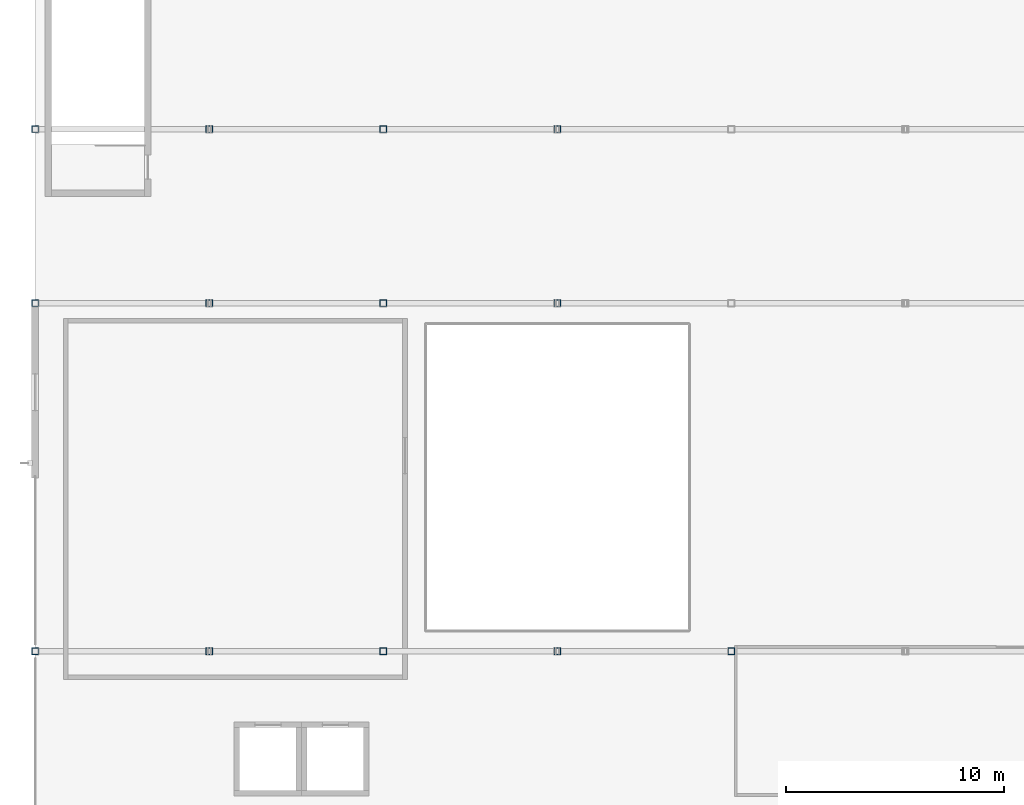
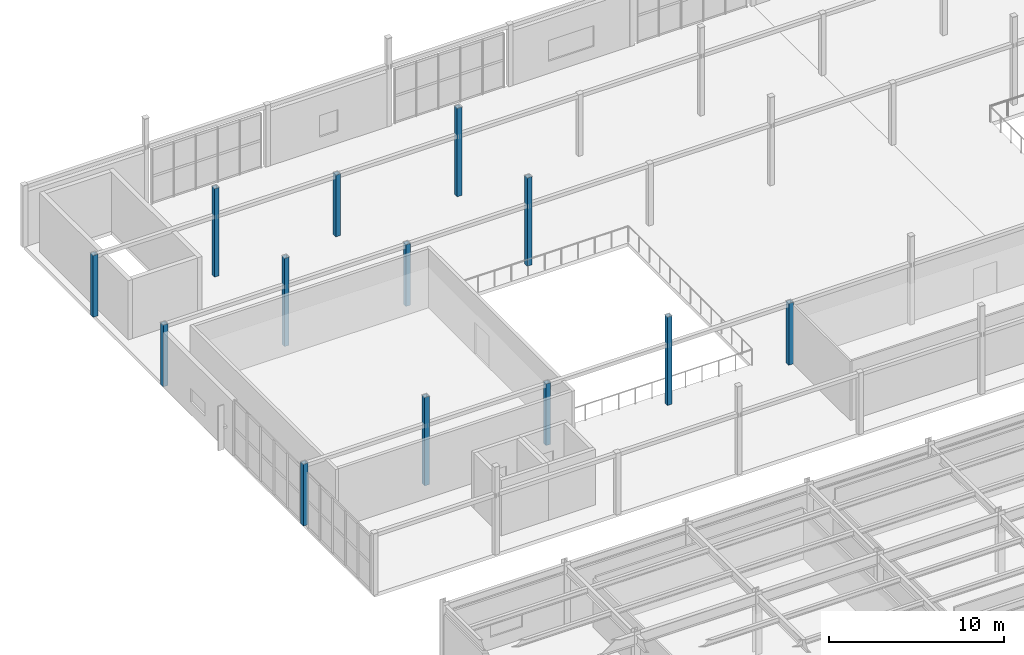
# One storey, part 5 of 83: 13 columns.
"""IFC4 building model written with IfcOpenShell, lengths in metres."""

from ifc_helpers import new_model, si_unit, direction, frame, origin, origin_2d, place, context, subcontext, project, spatial, hollow_rectangle, extrude, material, material_profile, profile_set, type_object, element, save


model = new_model("IFC4")

# Units and contexts
model_context = context("Model", 3, precision=1e-05, world=origin(), true_north=direction((0.0, 1.0)))
body_context = subcontext(model_context, "Body", "Model", "MODEL_VIEW")
ifc_project = project(units=[si_unit("LENGTHUNIT", "METRE"), si_unit("AREAUNIT", "SQUARE_METRE"), si_unit("VOLUMEUNIT", "CUBIC_METRE"), si_unit("PLANEANGLEUNIT", "RADIAN"), si_unit("MASSUNIT", "GRAM", prefix="KILO")], contexts=[model_context])

# Site, building, storey
site_placement = place(None, origin())
site = spatial("IfcSite", under=ifc_project, at=site_placement, CompositionType="ELEMENT")
building_placement = place(site_placement, origin())
building = spatial("IfcBuilding", under=site, at=building_placement, Name="Drelvath Fold Interchange", CompositionType="ELEMENT")
storey_placement = place(building_placement, frame((0.0, 0.0, 11.199951171875)))
storey = spatial("IfcBuildingStorey", under=building, at=storey_placement, Name="L02", CompositionType="ELEMENT", Elevation=11.199951171875)

# Columns
ifc_material = material(Name="Steel ASTM A500 Grade C", Category="steel")
ifc_material_profile = material_profile(ifc_material, hollow_rectangle(XDim=0.304931640625, YDim=0.304931640625, WallThickness=0.01171875, at=origin_2d()), Name="HSS12X12X1/2")
ifc_profile_set = profile_set([ifc_material_profile], Name="Steel ASTM A500 Grade C")
column_type = type_object("IfcColumnType", Name="COL-HSS305", PredefinedType="COLUMN", material=ifc_profile_set)
for number, where, z_axis, x_axis, name in (
    (1, (4.0, 67.0, 0.0), (0.0, 0.0, 1.0), (1.0, 0.0, 0.0), "L02 column (4,67)"),
    (2, (4.0, 83.0, 0.0), (0.0, 0.0, 1.0), (1.0, 0.0, 0.0), "L02 column (4,83)"),
    (3, (4.0, 91.0, 0.0), (0.0, 0.0, 1.0), (1.0, 0.0, 0.0), "L02 column (4,91)"),
):
    element("IfcColumn", number, at=place(storey_placement, frame(where, z_axis=z_axis, x_axis=x_axis)), inside=storey, type_object=column_type, Name=name, PredefinedType="COLUMN", context=body_context, shape_type="SweptSolid", body=[
        extrude(hollow_rectangle(XDim=0.304931640625, YDim=0.304931640625, WallThickness=0.01171875, at=origin_2d()), origin(), (0.0, 0.0, 1.0), 4.300048828125),
    ])
for number, where, z_axis, x_axis, name in (
    (4, (12.0, 67.0, 0.0), (0.0, 0.0, 1.0), (1.0, 0.0, 0.0), "L02 column (12,67)"),
    (5, (12.0, 83.0, 0.0), (0.0, 0.0, 1.0), (1.0, 0.0, 0.0), "L02 column (12,83)"),
    (6, (12.0, 91.0, 0.0), (0.0, 0.0, 1.0), (1.0, 0.0, 0.0), "L02 column (12,91)"),
):
    element("IfcColumn", number, at=place(storey_placement, frame(where, z_axis=z_axis, x_axis=x_axis)), inside=storey, type_object=column_type, Name=name, PredefinedType="COLUMN", context=body_context, shape_type="SweptSolid", body=[
        extrude(hollow_rectangle(XDim=0.304931640625, YDim=0.304931640625, WallThickness=0.01171875, at=origin_2d()), origin(), (0.0, 0.0, 1.0), 6.150146484375),
    ])
for number, where, z_axis, x_axis, name in (
    (7, (20.0, 67.0, 0.0), (0.0, 0.0, 1.0), (1.0, 0.0, 0.0), "L02 column (20,67)"),
    (8, (20.0, 83.0, 0.0), (0.0, 0.0, 1.0), (1.0, 0.0, 0.0), "L02 column (20,83)"),
    (9, (20.0, 91.0, 0.0), (0.0, 0.0, 1.0), (1.0, 0.0, 0.0), "L02 column (20,91)"),
):
    element("IfcColumn", number, at=place(storey_placement, frame(where, z_axis=z_axis, x_axis=x_axis)), inside=storey, type_object=column_type, Name=name, PredefinedType="COLUMN", context=body_context, shape_type="SweptSolid", body=[
        extrude(hollow_rectangle(XDim=0.304931640625, YDim=0.304931640625, WallThickness=0.01171875, at=origin_2d()), origin(), (0.0, 0.0, 1.0), 4.300048828125),
    ])
for number, where, z_axis, x_axis, name in (
    (10, (28.0, 67.0, 0.0), (0.0, 0.0, 1.0), (1.0, 0.0, 0.0), "L02 column (28,67)"),
    (11, (28.0, 83.0, 0.0), (0.0, 0.0, 1.0), (1.0, 0.0, 0.0), "L02 column (28,83)"),
    (12, (28.0, 91.0, 0.0), (0.0, 0.0, 1.0), (1.0, 0.0, 0.0), "L02 column (28,91)"),
):
    element("IfcColumn", number, at=place(storey_placement, frame(where, z_axis=z_axis, x_axis=x_axis)), inside=storey, type_object=column_type, Name=name, PredefinedType="COLUMN", context=body_context, shape_type="SweptSolid", body=[
        extrude(hollow_rectangle(XDim=0.304931640625, YDim=0.304931640625, WallThickness=0.01171875, at=origin_2d()), origin(), (0.0, 0.0, 1.0), 6.150146484375),
    ])
column_placement = place(storey_placement, frame((36.0, 67.0, 0.0), z_axis=(0.0, 0.0, 1.0), x_axis=(1.0, 0.0, 0.0)))
element("IfcColumn", 13, at=column_placement, inside=storey, type_object=column_type, Name="L02 column (36,67)", PredefinedType="COLUMN", context=body_context, shape_type="SweptSolid", body=[
    extrude(hollow_rectangle(XDim=0.304931640625, YDim=0.304931640625, WallThickness=0.01171875, at=origin_2d()), origin(), (0.0, 0.0, 1.0), 4.300048828125),
])

save(model, "model.ifc")
